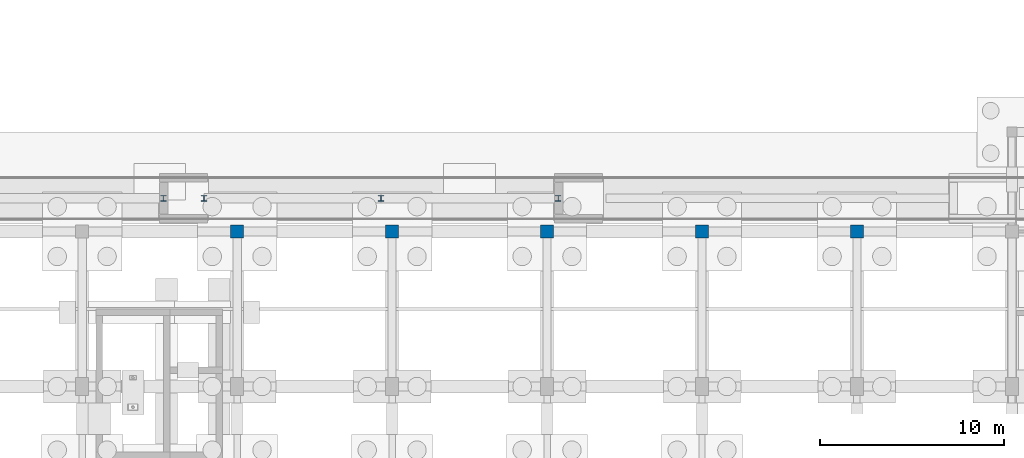
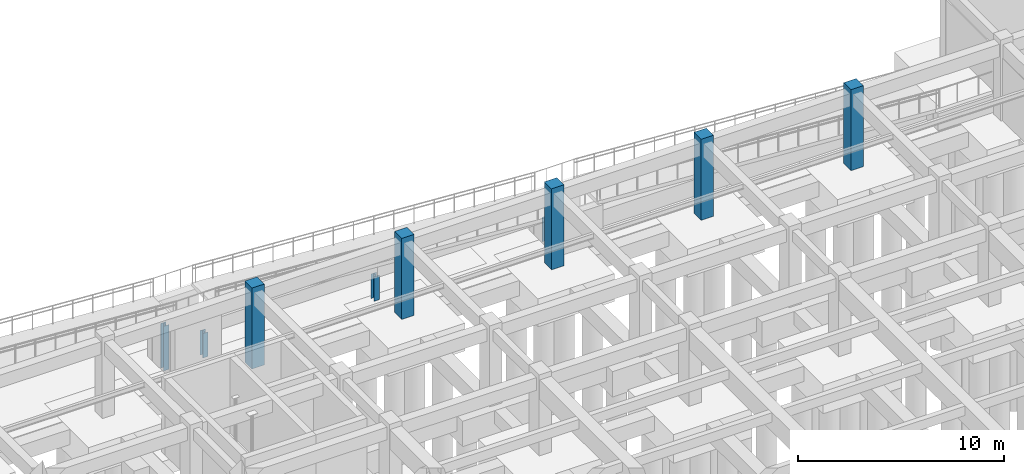
# One storey, part 20 of 49: 9 columns.
"""IFC4 building model written with IfcOpenShell, lengths in metres."""

from ifc_helpers import new_model, si_unit, direction, frame, origin, origin_2d, place, context, subcontext, project, spatial, rectangle, i_section, extrude, material, material_profile, profile_set, type_object, element, save


model = new_model("IFC4")

# Units and contexts
model_context = context("Model", 3, precision=1e-05, world=origin(), true_north=direction((0.0, 1.0)))
body_context = subcontext(model_context, "Body", "Model", "MODEL_VIEW")
ifc_project = project(units=[si_unit("LENGTHUNIT", "METRE"), si_unit("AREAUNIT", "SQUARE_METRE"), si_unit("VOLUMEUNIT", "CUBIC_METRE"), si_unit("PLANEANGLEUNIT", "RADIAN"), si_unit("MASSUNIT", "GRAM", prefix="KILO")], contexts=[model_context])

# Site, building, storey
site_placement = place(None, origin())
site = spatial("IfcSite", under=ifc_project, at=site_placement, CompositionType="ELEMENT")
building_placement = place(site_placement, origin())
building = spatial("IfcBuilding", under=site, at=building_placement, Name="Krzemoval Escarpment Law Courts", CompositionType="ELEMENT")
storey_placement = place(building_placement, frame((0.0, 0.0, -4.800048828125)))
storey = spatial("IfcBuildingStorey", under=building, at=storey_placement, Name="B1", CompositionType="ELEMENT", Elevation=-4.800048828125)

# Columns
ifc_material_1 = material(Name="Concrete C40/50", Category="concrete")
ifc_material_profile_1 = material_profile(ifc_material_1, rectangle(XDim=0.699951171875, YDim=0.699951171875, at=origin_2d()), Name="RC 700x700")
ifc_profile_set_1 = profile_set([ifc_material_profile_1], Name="Concrete C40/50")
column_type_1 = type_object("IfcColumnType", Name="COL-RC-700", PredefinedType="COLUMN", material=ifc_profile_set_1)
for number, where, z_axis, x_axis, name in (
    (1, (67.199951171875, 35.39990234375, 0.0), (0.0, 0.0, 1.0), (1.0, 0.0, 0.0), "Column FC-B1-0115"),
    (2, (75.60009765625, 35.39990234375, 0.0), (0.0, 0.0, 1.0), (1.0, 0.0, 0.0), "Column FC-B1-0123"),
    (3, (84.0, 35.39990234375, 0.0), (0.0, 0.0, 1.0), (1.0, 0.0, 0.0), "Column FC-B1-0131"),
    (4, (92.39990234375, 35.39990234375, 0.0), (0.0, 0.0, 1.0), (1.0, 0.0, 0.0), "Column FC-B1-0139"),
    (5, (100.800048828125, 35.39990234375, 0.0), (0.0, 0.0, 1.0), (1.0, 0.0, 0.0), "Column FC-B1-0147"),
):
    element("IfcColumn", number, at=place(storey_placement, frame(where, z_axis=z_axis, x_axis=x_axis)), inside=storey, type_object=column_type_1, Name=name, PredefinedType="COLUMN", context=body_context, shape_type="SweptSolid", body=[
        extrude(rectangle(XDim=0.699951171875, YDim=0.699951171875, at=origin_2d()), origin(), (0.0, 0.0, 1.0), 4.800048828125),
    ])
ifc_material_2 = material(Name="Steel S355", Category="steel")
ifc_material_profile_2 = material_profile(ifc_material_2, i_section(OverallWidth=0.300048828125, OverallDepth=0.300048828125, WebThickness=0.010986328125, FlangeThickness=0.01904296875, at=origin_2d()), Name="HEB 300")
ifc_profile_set_2 = profile_set([ifc_material_profile_2], Name="Steel S355")
column_type_2 = type_object("IfcColumnType", Name="COL-S355-HEB300", PredefinedType="COLUMN", material=ifc_profile_set_2)
column_placement = place(storey_placement, frame((63.199951171875, 37.199951171875, 0.0), z_axis=(0.0, 0.0, 1.0), x_axis=(1.0, 0.0, 0.0)))
element("IfcColumn", 6, at=column_placement, inside=storey, type_object=column_type_2, Name="Ramp Support Column RC-RMPB-01", PredefinedType="COLUMN", context=body_context, shape_type="SweptSolid", body=[
    extrude(i_section(OverallWidth=0.300048828125, OverallDepth=0.300048828125, WebThickness=0.010986328125, FlangeThickness=0.01904296875, at=origin_2d()), origin(), (0.0, 0.0, 1.0), 2.650146484375),
])
for number, where, z_axis, x_axis, name in (
    (7, (65.39990234375, 37.199951171875, 0.0), (0.0, 0.0, 1.0), (1.0, 0.0, 0.0), "Ramp Support Column RC-RMPA-02"),
    (8, (75.0, 37.199951171875, 0.0), (0.0, 0.0, 1.0), (1.0, 0.0, 0.0), "Ramp Support Column RC-RMPM-02"),
    (9, (84.60009765625, 37.199951171875, 0.0), (0.0, 0.0, 1.0), (1.0, 0.0, 0.0), "Ramp Support Column RC-RMPB-02"),
):
    element("IfcColumn", number, at=place(storey_placement, frame(where, z_axis=z_axis, x_axis=x_axis)), inside=storey, type_object=column_type_2, Name=name, PredefinedType="COLUMN", context=body_context, shape_type="SweptSolid", body=[
        extrude(i_section(OverallWidth=0.300048828125, OverallDepth=0.300048828125, WebThickness=0.010986328125, FlangeThickness=0.01904296875, at=origin_2d()), origin(), (0.0, 0.0, 1.0), 1.449951171875),
    ])

save(model, "model.ifc")
